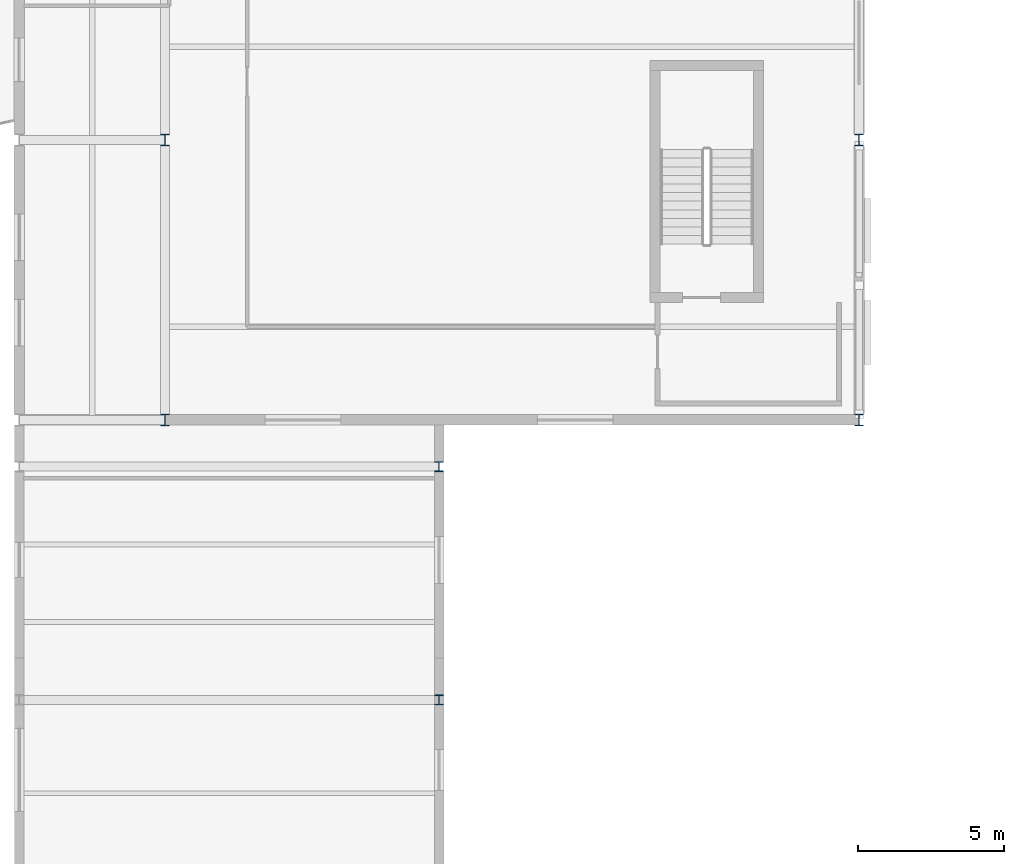
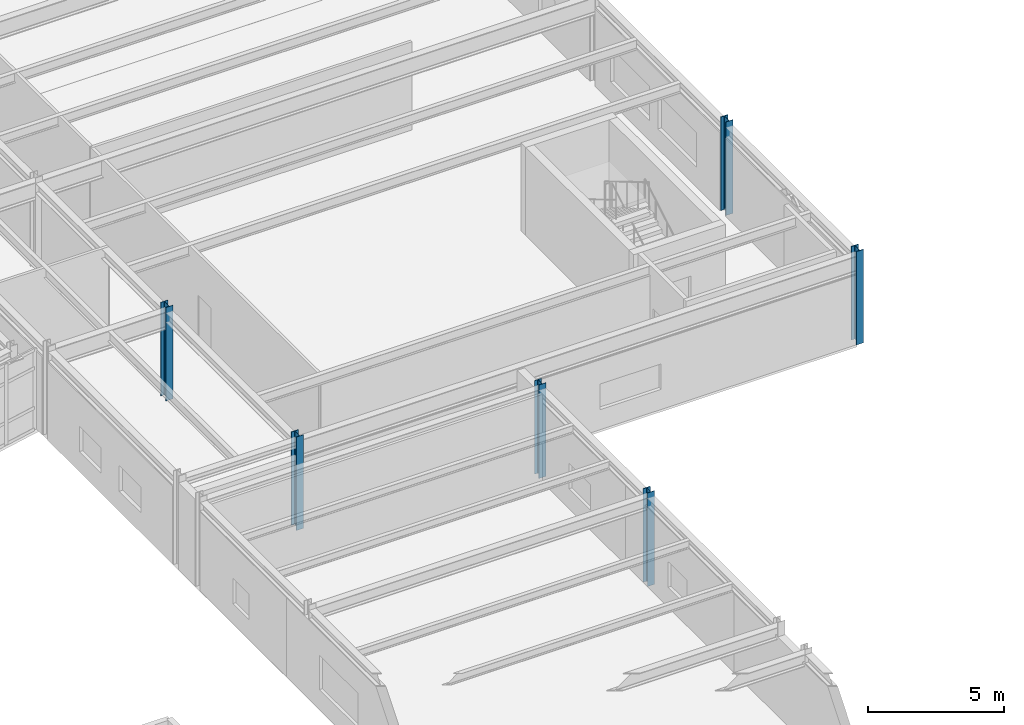
# One storey, part 8 of 99: 6 columns.
"""IFC4 building model written with IfcOpenShell, lengths in metres."""

from ifc_helpers import new_model, si_unit, direction, frame, origin, origin_2d, place, context, subcontext, project, spatial, i_section, extrude, material, material_profile, profile_set, type_object, element, save


model = new_model("IFC4")

# Units and contexts
model_context = context("Model", 3, precision=1e-05, world=origin(), true_north=direction((0.0, 1.0)))
body_context = subcontext(model_context, "Body", "Model", "MODEL_VIEW")
ifc_project = project(units=[si_unit("LENGTHUNIT", "METRE"), si_unit("AREAUNIT", "SQUARE_METRE"), si_unit("VOLUMEUNIT", "CUBIC_METRE"), si_unit("PLANEANGLEUNIT", "RADIAN"), si_unit("MASSUNIT", "GRAM", prefix="KILO")], contexts=[model_context])

# Site, building, storey
site_placement = place(None, origin())
site = spatial("IfcSite", under=ifc_project, at=site_placement, CompositionType="ELEMENT")
building_placement = place(site_placement, origin())
building = spatial("IfcBuilding", under=site, at=building_placement, Name="Nordkorset Police Headquarters", CompositionType="ELEMENT")
storey_placement = place(building_placement, frame((0.0, 0.0, 5.25)))
storey = spatial("IfcBuildingStorey", under=building, at=storey_placement, Name="L01", CompositionType="ELEMENT", Elevation=5.25)

# Columns
ifc_material_1 = material(Name="Steel S355J2", Category="steel")
ifc_material_profile_1 = material_profile(ifc_material_1, i_section(OverallWidth=0.300048828125, OverallDepth=0.340087890625, WebThickness=0.011962890625, FlangeThickness=0.021484375, FilletRadius=0.027099609375, at=origin_2d()), Name="HEB 340")
ifc_profile_set_1 = profile_set([ifc_material_profile_1], Name="Steel S355J2")
column_type_1 = type_object("IfcColumnType", Name="Col_HEB_340", PredefinedType="COLUMN", material=ifc_profile_set_1)
for number, where, z_axis, x_axis, name in (
    (1, (100.800048828125, 38.39990234375, 0.0), (0.0, 0.0, 1.0), (1.0, 0.0, 0.0), "Structural Column V7_EC_1_384 L01"),
    (2, (100.800048828125, 46.39990234375, 0.0), (0.0, 0.0, 1.0), (1.0, 0.0, 0.0), "Structural Column V7_EC_1_464 L01"),
):
    element("IfcColumn", number, at=place(storey_placement, frame(where, z_axis=z_axis, x_axis=x_axis)), inside=storey, type_object=column_type_1, Name=name, PredefinedType="COLUMN", context=body_context, shape_type="SweptSolid", body=[
        extrude(i_section(OverallWidth=0.300048828125, OverallDepth=0.340087890625, WebThickness=0.011962890625, FlangeThickness=0.021484375, FilletRadius=0.027099609375, at=origin_2d()), origin(), (0.0, 0.0, 1.0), 4.199951171875),
    ])
ifc_material_2 = material(Name="Steel S355J2", Category="steel")
ifc_material_profile_2 = material_profile(ifc_material_2, i_section(OverallWidth=0.300048828125, OverallDepth=0.39990234375, WebThickness=0.013427734375, FlangeThickness=0.02392578125, FilletRadius=0.027099609375, at=origin_2d()), Name="HEB 400")
ifc_profile_set_2 = profile_set([ifc_material_profile_2], Name="Steel S355J2")
column_type_2 = type_object("IfcColumnType", Name="Col_HEB_400", PredefinedType="COLUMN", material=ifc_profile_set_2)
for number, where, z_axis, x_axis, name in (
    (3, (91.39990234375, 48.0, 0.0), (0.0, 0.0, 1.0), (1.0, 0.0, 0.0), "Structural Column V5_X1_0 L01"),
    (4, (115.199951171875, 48.0, 0.0), (0.0, 0.0, 1.0), (1.0, 0.0, 0.0), "Structural Column V5_X2_0 L01"),
    (5, (91.39990234375, 57.60009765625, 0.0), (0.0, 0.0, 1.0), (1.0, 0.0, 0.0), "Structural Column V5_X1_1 L01"),
    (6, (115.199951171875, 57.60009765625, 0.0), (0.0, 0.0, 1.0), (1.0, 0.0, 0.0), "Structural Column V5_X2_1 L01"),
):
    element("IfcColumn", number, at=place(storey_placement, frame(where, z_axis=z_axis, x_axis=x_axis)), inside=storey, type_object=column_type_2, Name=name, PredefinedType="COLUMN", context=body_context, shape_type="SweptSolid", body=[
        extrude(i_section(OverallWidth=0.300048828125, OverallDepth=0.39990234375, WebThickness=0.013427734375, FlangeThickness=0.02392578125, FilletRadius=0.027099609375, at=origin_2d()), origin(), (0.0, 0.0, 1.0), 4.199951171875),
    ])

save(model, "model.ifc")
